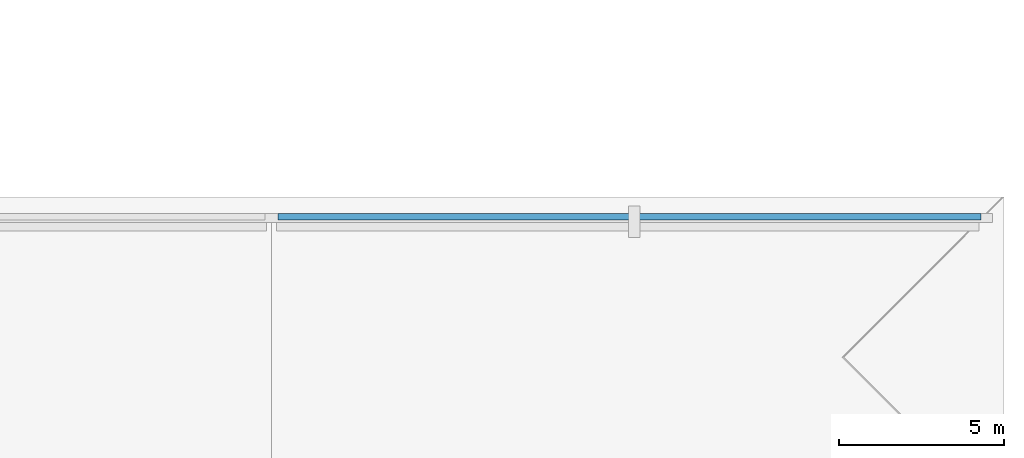
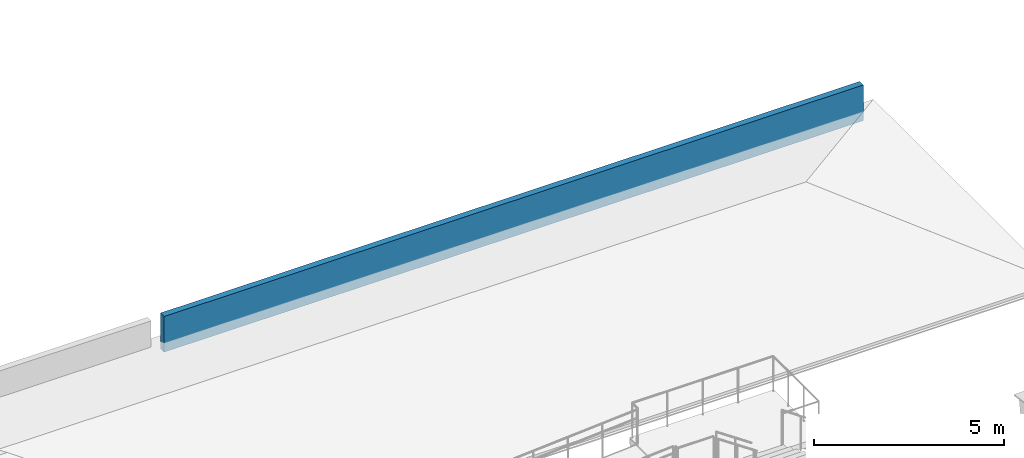
# One storey, part 25 of 43: 1 wall.
"""IFC4 building model written with IfcOpenShell, lengths in metres."""

from ifc_helpers import new_model, si_unit, direction, frame, frame_2d, origin, place, context, subcontext, project, spatial, rectangle, extrude, material, layer, layer_set, type_object, element, save


model = new_model("IFC4")

# Units and contexts
model_context = context("Model", 3, precision=1e-05, world=origin(), true_north=direction((0.0, 1.0)))
body_context = subcontext(model_context, "Body", "Model", "MODEL_VIEW")
ifc_project = project(units=[si_unit("LENGTHUNIT", "METRE"), si_unit("AREAUNIT", "SQUARE_METRE"), si_unit("VOLUMEUNIT", "CUBIC_METRE"), si_unit("PLANEANGLEUNIT", "RADIAN"), si_unit("MASSUNIT", "GRAM", prefix="KILO")], contexts=[model_context])

# Site, building, storey
site_placement = place(None, origin())
site = spatial("IfcSite", under=ifc_project, at=site_placement, CompositionType="ELEMENT")
building_placement = place(site_placement, origin())
building = spatial("IfcBuilding", under=site, at=building_placement, Name="Caurita Quay Ferry Terminal", CompositionType="ELEMENT")
storey_placement = place(building_placement, frame((0.0, 0.0, 14.10009765625)))
storey = spatial("IfcBuildingStorey", under=building, at=storey_placement, Name="L03", CompositionType="ELEMENT", Elevation=14.10009765625)

# Wall
ifc_material = material(Name="Coral stone ashlar cladding", Category="masonry")
ifc_layer = layer(ifc_material, 0.18994140625, Name="Exterior parapet wall 190 mm")
ifc_layer_set = layer_set([ifc_layer], Name="Coral stone ashlar cladding")
wall_type = type_object("IfcWallType", Name="WL-PAR-190", PredefinedType="PARAPET", material=ifc_layer_set)
wall_placement = place(storey_placement, frame((110.39990234375, 70.89990234375, 0.0), z_axis=(0.0, 0.0, 1.0), x_axis=(1.0, 0.0, 0.0)))
element("IfcWall", 1, at=wall_placement, inside=storey, type_object=wall_type, Name="L03 Roof Parapet Wall 08", PredefinedType="PARAPET", context=body_context, shape_type="SweptSolid", body=[
    extrude(rectangle(XDim=21.300048828125, YDim=0.18994140625, at=frame_2d((10.64990234375, 0.0))), origin(), (0.0, 0.0, 1.0), 1.14990234375),
])

save(model, "model.ifc")
